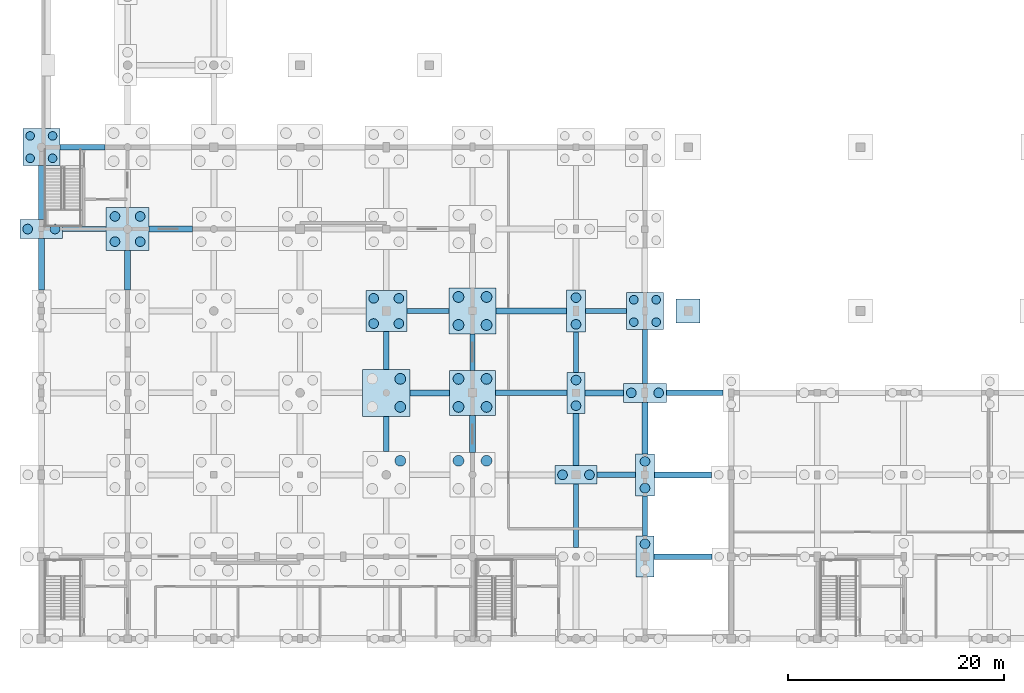
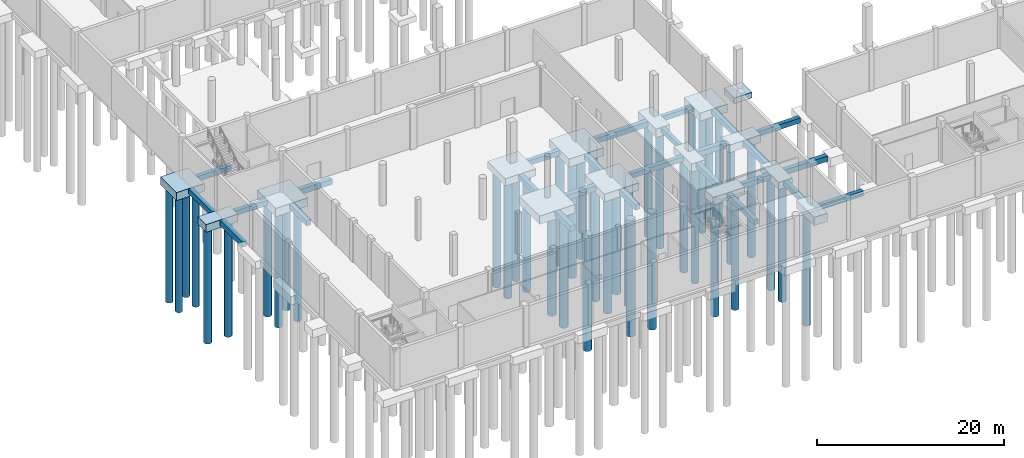
# One storey, part 3 of 44: 42 piles, 41 footings.
"""IFC4 building model written with IfcOpenShell, lengths in metres."""

from ifc_helpers import new_model, si_unit, direction, frame, origin, origin_2d, place, context, subcontext, project, spatial, polyline, circle, outline, extrude, material, material_profile, profile_set, type_object, element, save


model = new_model("IFC4")

# Units and contexts
model_context = context("Model", 3, precision=1e-05, world=origin(), true_north=direction((0.0, 1.0)))
body_context = subcontext(model_context, "Body", "Model", "MODEL_VIEW")
ifc_project = project(units=[si_unit("LENGTHUNIT", "METRE"), si_unit("AREAUNIT", "SQUARE_METRE"), si_unit("VOLUMEUNIT", "CUBIC_METRE"), si_unit("PLANEANGLEUNIT", "RADIAN"), si_unit("MASSUNIT", "GRAM", prefix="KILO")], contexts=[model_context])

# Site, building, storey
site_placement = place(None, origin())
site = spatial("IfcSite", under=ifc_project, at=site_placement, CompositionType="ELEMENT")
building_placement = place(site_placement, origin())
building = spatial("IfcBuilding", under=site, at=building_placement, Name="Khelvaren Railside Concert Hall", CompositionType="ELEMENT")
storey_placement = place(building_placement, frame((0.0, 0.0, -5.39990234375)))
storey = spatial("IfcBuildingStorey", under=building, at=storey_placement, Name="B1", CompositionType="ELEMENT", Elevation=-5.39990234375)

# Piles
ifc_material = material(Name="Concrete C35/45", Category="concrete")
ifc_material_profile_1 = material_profile(ifc_material, circle(Radius=0.449951171875, at=origin_2d()), Name="BP D900")
ifc_profile_set_1 = profile_set([ifc_material_profile_1], Name="Concrete C35/45")
pile_type_1 = type_object("IfcPileType", Name="BP51", PredefinedType="BORED", material=ifc_profile_set_1)
for number, where, z_axis, x_axis, name in (
    (1, (-1.27001953125, 38.0, -1.400146484375), (0.0, 0.0, -1.0), (1.0, 0.0, 0.0), "Bored Pile BP51 PC-V1-005-1"),
    (2, (1.27001953125, 38.0, -1.400146484375), (0.0, 0.0, -1.0), (1.0, 0.0, 0.0), "Bored Pile BP51 PC-V1-005-2"),
):
    element("IfcPile", number, at=place(storey_placement, frame(where, z_axis=z_axis, x_axis=x_axis)), inside=storey, type_object=pile_type_1, Name=name, PredefinedType="BORED", context=body_context, shape_type="SweptSolid", body=[
        extrude(circle(Radius=0.449951171875, at=origin_2d()), origin(), (0.0, 0.0, 1.0), 15.199951171875),
    ])
for number, where, z_axis, x_axis, name in (
    (3, (6.830078125, 36.830078125, -1.5), (0.0, 0.0, -1.0), (1.0, 0.0, 0.0), "Bored Pile BP51 PC-V1-019-1"),
    (4, (9.169921875, 36.830078125, -1.5), (0.0, 0.0, -1.0), (1.0, 0.0, 0.0), "Bored Pile BP51 PC-V1-019-2"),
    (5, (6.830078125, 39.169921875, -1.5), (0.0, 0.0, -1.0), (1.0, 0.0, 0.0), "Bored Pile BP51 PC-V1-019-3"),
    (6, (9.169921875, 39.169921875, -1.5), (0.0, 0.0, -1.0), (1.0, 0.0, 0.0), "Bored Pile BP51 PC-V1-019-4"),
):
    element("IfcPile", number, at=place(storey_placement, frame(where, z_axis=z_axis, x_axis=x_axis)), inside=storey, type_object=pile_type_1, Name=name, PredefinedType="BORED", context=body_context, shape_type="SweptSolid", body=[
        extrude(circle(Radius=0.449951171875, at=origin_2d()), origin(), (0.0, 0.0, 1.0), 15.10009765625),
    ])
for number, where, z_axis, x_axis, name in (
    (7, (30.830078125, 29.22998046875, -1.35009765625), (0.0, 0.0, -1.0), (1.0, 0.0, 0.0), "Bored Pile BP51 PC-V1-064-1"),
    (8, (33.169921875, 29.22998046875, -1.35009765625), (0.0, 0.0, -1.0), (1.0, 0.0, 0.0), "Bored Pile BP51 PC-V1-064-2"),
    (9, (30.830078125, 31.570068359375, -1.35009765625), (0.0, 0.0, -1.0), (1.0, 0.0, 0.0), "Bored Pile BP51 PC-V1-064-3"),
    (10, (33.169921875, 31.570068359375, -1.35009765625), (0.0, 0.0, -1.0), (1.0, 0.0, 0.0), "Bored Pile BP51 PC-V1-064-4"),
):
    element("IfcPile", number, at=place(storey_placement, frame(where, z_axis=z_axis, x_axis=x_axis)), inside=storey, type_object=pile_type_1, Name=name, PredefinedType="BORED", context=body_context, shape_type="SweptSolid", body=[
        extrude(circle(Radius=0.449951171875, at=origin_2d()), origin(), (0.0, 0.0, 1.0), 15.25),
    ])
for number, where, z_axis, x_axis, name in (
    (11, (48.35009765625, 15.199951171875, -1.400146484375), (0.0, 0.0, -1.0), (1.0, 0.0, 0.0), "Bored Pile BP51 PC-V1-097-1"),
    (12, (50.85009765625, 15.199951171875, -1.400146484375), (0.0, 0.0, -1.0), (1.0, 0.0, 0.0), "Bored Pile BP51 PC-V1-097-2"),
):
    element("IfcPile", number, at=place(storey_placement, frame(where, z_axis=z_axis, x_axis=x_axis)), inside=storey, type_object=pile_type_1, Name=name, PredefinedType="BORED", context=body_context, shape_type="SweptSolid", body=[
        extrude(circle(Radius=0.449951171875, at=origin_2d()), origin(), (0.0, 0.0, 1.0), 15.199951171875),
    ])
for number, where, z_axis, x_axis, name in (
    (13, (49.60009765625, 21.610107421875, -1.4501953125), (0.0, 0.0, -1.0), (1.0, 0.0, 0.0), "Bored Pile BP51 PC-V1-098-1"),
    (14, (49.60009765625, 23.989990234375, -1.4501953125), (0.0, 0.0, -1.0), (1.0, 0.0, 0.0), "Bored Pile BP51 PC-V1-098-2"),
):
    element("IfcPile", number, at=place(storey_placement, frame(where, z_axis=z_axis, x_axis=x_axis)), inside=storey, type_object=pile_type_1, Name=name, PredefinedType="BORED", context=body_context, shape_type="SweptSolid", body=[
        extrude(circle(Radius=0.449951171875, at=origin_2d()), origin(), (0.0, 0.0, 1.0), 15.14990234375),
    ])
for number, where, z_axis, x_axis, name in (
    (15, (49.60009765625, 29.159912109375, -1.5), (0.0, 0.0, -1.0), (1.0, 0.0, 0.0), "Bored Pile BP51 PC-V1-099-1"),
    (16, (49.60009765625, 31.639892578125, -1.5), (0.0, 0.0, -1.0), (1.0, 0.0, 0.0), "Bored Pile BP51 PC-V1-099-2"),
    (17, (56.0, 8.7900390625, -1.5), (0.0, 0.0, -1.0), (1.0, 0.0, 0.0), "Bored Pile BP51 PC-V1-103-2"),
):
    element("IfcPile", number, at=place(storey_placement, frame(where, z_axis=z_axis, x_axis=x_axis)), inside=storey, type_object=pile_type_1, Name=name, PredefinedType="BORED", context=body_context, shape_type="SweptSolid", body=[
        extrude(circle(Radius=0.449951171875, at=origin_2d()), origin(), (0.0, 0.0, 1.0), 15.10009765625),
    ])
for number, where, z_axis, x_axis, name in (
    (18, (56.0, 13.9599609375, -1.35009765625), (0.0, 0.0, -1.0), (1.0, 0.0, 0.0), "Bored Pile BP51 PC-V1-104-1"),
    (19, (56.0, 16.43994140625, -1.35009765625), (0.0, 0.0, -1.0), (1.0, 0.0, 0.0), "Bored Pile BP51 PC-V1-104-2"),
):
    element("IfcPile", number, at=place(storey_placement, frame(where, z_axis=z_axis, x_axis=x_axis)), inside=storey, type_object=pile_type_1, Name=name, PredefinedType="BORED", context=body_context, shape_type="SweptSolid", body=[
        extrude(circle(Radius=0.449951171875, at=origin_2d()), origin(), (0.0, 0.0, 1.0), 15.25),
    ])
for number, where, z_axis, x_axis, name in (
    (20, (54.72998046875, 22.800048828125, -1.400146484375), (0.0, 0.0, -1.0), (1.0, 0.0, 0.0), "Bored Pile BP51 PC-V1-105-1"),
    (21, (57.27001953125, 22.800048828125, -1.400146484375), (0.0, 0.0, -1.0), (1.0, 0.0, 0.0), "Bored Pile BP51 PC-V1-105-2"),
):
    element("IfcPile", number, at=place(storey_placement, frame(where, z_axis=z_axis, x_axis=x_axis)), inside=storey, type_object=pile_type_1, Name=name, PredefinedType="BORED", context=body_context, shape_type="SweptSolid", body=[
        extrude(circle(Radius=0.449951171875, at=origin_2d()), origin(), (0.0, 0.0, 1.0), 15.199951171875),
    ])
ifc_material_profile_2 = material_profile(ifc_material, circle(Radius=0.39990234375, at=origin_2d()), Name="BP D800")
ifc_profile_set_2 = profile_set([ifc_material_profile_2], Name="Concrete C35/45")
pile_type_2 = type_object("IfcPileType", Name="BP84", PredefinedType="BORED", material=ifc_profile_set_2)
for number, where, z_axis, x_axis, name in (
    (22, (-1.0400390625, 44.56005859375, -1.4501953125), (0.0, 0.0, -1.0), (1.0, 0.0, 0.0), "Bored Pile BP84 PC-V1-006-1"),
    (23, (1.0400390625, 44.56005859375, -1.4501953125), (0.0, 0.0, -1.0), (1.0, 0.0, 0.0), "Bored Pile BP84 PC-V1-006-2"),
    (24, (-1.0400390625, 46.639892578125, -1.4501953125), (0.0, 0.0, -1.0), (1.0, 0.0, 0.0), "Bored Pile BP84 PC-V1-006-3"),
    (25, (1.0400390625, 46.639892578125, -1.4501953125), (0.0, 0.0, -1.0), (1.0, 0.0, 0.0), "Bored Pile BP84 PC-V1-006-4"),
    (26, (54.9599609375, 29.360107421875, -1.4501953125), (0.0, 0.0, -1.0), (1.0, 0.0, 0.0), "Bored Pile BP84 PC-V1-106-1"),
    (27, (57.0400390625, 29.360107421875, -1.4501953125), (0.0, 0.0, -1.0), (1.0, 0.0, 0.0), "Bored Pile BP84 PC-V1-106-2"),
    (28, (54.9599609375, 31.43994140625, -1.4501953125), (0.0, 0.0, -1.0), (1.0, 0.0, 0.0), "Bored Pile BP84 PC-V1-106-3"),
    (29, (57.0400390625, 31.43994140625, -1.4501953125), (0.0, 0.0, -1.0), (1.0, 0.0, 0.0), "Bored Pile BP84 PC-V1-106-4"),
):
    element("IfcPile", number, at=place(storey_placement, frame(where, z_axis=z_axis, x_axis=x_axis)), inside=storey, type_object=pile_type_2, Name=name, PredefinedType="BORED", context=body_context, shape_type="SweptSolid", body=[
        extrude(circle(Radius=0.39990234375, at=origin_2d()), origin(), (0.0, 0.0, 1.0), 15.14990234375),
    ])
ifc_material_profile_3 = material_profile(ifc_material, circle(Radius=0.5, at=origin_2d()), Name="BP D1000")
ifc_profile_set_3 = profile_set([ifc_material_profile_3], Name="Concrete C35/45")
pile_type_3 = type_object("IfcPileType", Name="BP88", PredefinedType="BORED", material=ifc_profile_set_3)
pile_placement = place(storey_placement, frame((33.300048828125, 16.5, -1.4501953125), z_axis=(0.0, 0.0, -1.0), x_axis=(1.0, 0.0, 0.0)))
element("IfcPile", 30, at=pile_placement, inside=storey, type_object=pile_type_3, Name="Bored Pile BP88 PC-V1-062-4", PredefinedType="BORED", context=body_context, shape_type="SweptSolid", body=[
    extrude(circle(Radius=0.5, at=origin_2d()), origin(), (0.0, 0.0, 1.0), 15.14990234375),
])
for number, where, z_axis, x_axis, name in (
    (31, (33.300048828125, 21.5, -1.5), (0.0, 0.0, -1.0), (1.0, 0.0, 0.0), "Bored Pile BP88 PC-V1-063-2"),
    (32, (33.300048828125, 24.10009765625, -1.5), (0.0, 0.0, -1.0), (1.0, 0.0, 0.0), "Bored Pile BP88 PC-V1-063-4"),
):
    element("IfcPile", number, at=place(storey_placement, frame(where, z_axis=z_axis, x_axis=x_axis)), inside=storey, type_object=pile_type_3, Name=name, PredefinedType="BORED", context=body_context, shape_type="SweptSolid", body=[
        extrude(circle(Radius=0.5, at=origin_2d()), origin(), (0.0, 0.0, 1.0), 15.10009765625),
    ])
for number, where, z_axis, x_axis, name in (
    (33, (38.699951171875, 16.5, -1.35009765625), (0.0, 0.0, -1.0), (1.0, 0.0, 0.0), "Bored Pile BP88 PC-V1-076-3"),
    (34, (41.300048828125, 16.5, -1.35009765625), (0.0, 0.0, -1.0), (1.0, 0.0, 0.0), "Bored Pile BP88 PC-V1-076-4"),
):
    element("IfcPile", number, at=place(storey_placement, frame(where, z_axis=z_axis, x_axis=x_axis)), inside=storey, type_object=pile_type_3, Name=name, PredefinedType="BORED", context=body_context, shape_type="SweptSolid", body=[
        extrude(circle(Radius=0.5, at=origin_2d()), origin(), (0.0, 0.0, 1.0), 15.25),
    ])
for number, where, z_axis, x_axis, name in (
    (35, (38.699951171875, 21.5, -1.400146484375), (0.0, 0.0, -1.0), (1.0, 0.0, 0.0), "Bored Pile BP88 PC-V1-077-1"),
    (36, (41.300048828125, 21.5, -1.400146484375), (0.0, 0.0, -1.0), (1.0, 0.0, 0.0), "Bored Pile BP88 PC-V1-077-2"),
    (37, (38.699951171875, 24.10009765625, -1.400146484375), (0.0, 0.0, -1.0), (1.0, 0.0, 0.0), "Bored Pile BP88 PC-V1-077-3"),
    (38, (41.300048828125, 24.10009765625, -1.400146484375), (0.0, 0.0, -1.0), (1.0, 0.0, 0.0), "Bored Pile BP88 PC-V1-077-4"),
):
    element("IfcPile", number, at=place(storey_placement, frame(where, z_axis=z_axis, x_axis=x_axis)), inside=storey, type_object=pile_type_3, Name=name, PredefinedType="BORED", context=body_context, shape_type="SweptSolid", body=[
        extrude(circle(Radius=0.5, at=origin_2d()), origin(), (0.0, 0.0, 1.0), 15.199951171875),
    ])
for number, where, z_axis, x_axis, name in (
    (39, (38.699951171875, 29.10009765625, -1.4501953125), (0.0, 0.0, -1.0), (1.0, 0.0, 0.0), "Bored Pile BP88 PC-V1-078-1"),
    (40, (41.300048828125, 29.10009765625, -1.4501953125), (0.0, 0.0, -1.0), (1.0, 0.0, 0.0), "Bored Pile BP88 PC-V1-078-2"),
    (41, (38.699951171875, 31.699951171875, -1.4501953125), (0.0, 0.0, -1.0), (1.0, 0.0, 0.0), "Bored Pile BP88 PC-V1-078-3"),
    (42, (41.300048828125, 31.699951171875, -1.4501953125), (0.0, 0.0, -1.0), (1.0, 0.0, 0.0), "Bored Pile BP88 PC-V1-078-4"),
):
    element("IfcPile", number, at=place(storey_placement, frame(where, z_axis=z_axis, x_axis=x_axis)), inside=storey, type_object=pile_type_3, Name=name, PredefinedType="BORED", context=body_context, shape_type="SweptSolid", body=[
        extrude(circle(Radius=0.5, at=origin_2d()), origin(), (0.0, 0.0, 1.0), 15.14990234375),
    ])

# Footings
footing_type_1 = type_object("IfcFootingType", Name="GB49", PredefinedType="FOOTING_BEAM", material=ifc_material)
footing_1_placement = place(storey_placement, frame((0.0, 0.0, -1.150146484375)))
element("IfcFooting", 43, at=footing_1_placement, inside=storey, type_object=footing_type_1, Name="Ground Tie Beam GB49 31", PredefinedType="FOOTING_BEAM", context=body_context, shape_type="SweptSolid", body=[
    extrude(outline(polyline([(56.85009765625, 7.35009765625), (62.219970703125, 7.35009765625), (62.219970703125, 7.85009765625), (56.85009765625, 7.85009765625), (56.85009765625, 7.35009765625)])), origin(), (0.0, 0.0, 1.0), 0.650146484375),
])
footing_2_placement = place(storey_placement, frame((0.0, 0.0, -1.150146484375)))
element("IfcFooting", 44, at=footing_2_placement, inside=storey, type_object=footing_type_1, Name="Ground Tie Beam GB49 53", PredefinedType="FOOTING_BEAM", context=body_context, shape_type="SweptSolid", body=[
    extrude(outline(polyline([(51.56005859375, 14.949951171875), (55.125, 14.949951171875), (55.125, 15.449951171875), (51.56005859375, 15.449951171875), (51.56005859375, 14.949951171875)])), origin(), (0.0, 0.0, 1.0), 0.650146484375),
])
footing_3_placement = place(storey_placement, frame((0.0, 0.0, -1.150146484375)))
element("IfcFooting", 45, at=footing_3_placement, inside=storey, type_object=footing_type_1, Name="Ground Tie Beam GB49 75", PredefinedType="FOOTING_BEAM", context=body_context, shape_type="SweptSolid", body=[
    extrude(outline(polyline([(42.1201171875, 22.550048828125), (48.75, 22.550048828125), (48.75, 23.050048828125), (42.1201171875, 23.050048828125), (42.1201171875, 22.550048828125)])), origin(), (0.0, 0.0, 1.0), 0.650146484375),
])
footing_4_placement = place(storey_placement, frame((0.0, 0.0, -1.150146484375)))
element("IfcFooting", 46, at=footing_4_placement, inside=storey, type_object=footing_type_1, Name="Ground Tie Beam GB49 77", PredefinedType="FOOTING_BEAM", context=body_context, shape_type="SweptSolid", body=[
    extrude(outline(polyline([(57.97998046875, 22.550048828125), (63.22509765625, 22.550048828125), (63.22509765625, 23.050048828125), (57.97998046875, 23.050048828125), (57.97998046875, 22.550048828125)])), origin(), (0.0, 0.0, 1.0), 0.650146484375),
])
footing_5_placement = place(storey_placement, frame((0.0, 0.0, -1.150146484375)))
element("IfcFooting", 47, at=footing_5_placement, inside=storey, type_object=footing_type_1, Name="Ground Tie Beam GB49 97", PredefinedType="FOOTING_BEAM", context=body_context, shape_type="SweptSolid", body=[
    extrude(outline(polyline([(33.89990234375, 30.14990234375), (37.840087890625, 30.14990234375), (37.840087890625, 30.64990234375), (33.89990234375, 30.64990234375), (33.89990234375, 30.14990234375)])), origin(), (0.0, 0.0, 1.0), 0.650146484375),
])
footing_6_placement = place(storey_placement, frame((0.0, 0.0, -1.150146484375)))
element("IfcFooting", 48, at=footing_6_placement, inside=storey, type_object=footing_type_1, Name="Ground Tie Beam GB49 99", PredefinedType="FOOTING_BEAM", context=body_context, shape_type="SweptSolid", body=[
    extrude(outline(polyline([(50.47509765625, 30.14990234375), (54.280029296875, 30.14990234375), (54.280029296875, 30.64990234375), (50.47509765625, 30.64990234375), (50.47509765625, 30.14990234375)])), origin(), (0.0, 0.0, 1.0), 0.650146484375),
])
footing_7_placement = place(storey_placement, frame((0.0, 0.0, -1.150146484375)))
element("IfcFooting", 49, at=footing_7_placement, inside=storey, type_object=footing_type_1, Name="Ground Tie Beam GB49 105", PredefinedType="FOOTING_BEAM", context=body_context, shape_type="SweptSolid", body=[
    extrude(outline(polyline([(1.97998046875, 37.75), (6.0, 37.75), (6.0, 38.25), (1.97998046875, 38.25), (1.97998046875, 37.75)])), origin(), (0.0, 0.0, 1.0), 0.650146484375),
])
footing_8_placement = place(storey_placement, frame((0.0, 0.0, -1.150146484375)))
element("IfcFooting", 50, at=footing_8_placement, inside=storey, type_object=footing_type_1, Name="Ground Tie Beam GB49 117", PredefinedType="FOOTING_BEAM", context=body_context, shape_type="SweptSolid", body=[
    extrude(outline(polyline([(1.719970703125, 45.35009765625), (5.919921875, 45.35009765625), (5.919921875, 45.85009765625), (1.719970703125, 45.85009765625), (1.719970703125, 45.35009765625)])), origin(), (0.0, 0.0, 1.0), 0.650146484375),
])
footing_9_placement = place(storey_placement, frame((0.0, 0.0, -1.150146484375)))
element("IfcFooting", 51, at=footing_9_placement, inside=storey, type_object=footing_type_1, Name="Ground Tie Beam GB49 213", PredefinedType="FOOTING_BEAM", context=body_context, shape_type="SweptSolid", body=[
    extrude(outline(polyline([(-0.25, 38.875), (0.25, 38.875), (0.25, 43.8798828125), (-0.25, 43.8798828125), (-0.25, 38.875)])), origin(), (0.0, 0.0, 1.0), 0.650146484375),
])
footing_10_placement = place(storey_placement, frame((0.0, 0.0, -1.150146484375)))
element("IfcFooting", 52, at=footing_10_placement, inside=storey, type_object=footing_type_1, Name="Ground Tie Beam GB49 265", PredefinedType="FOOTING_BEAM", context=body_context, shape_type="SweptSolid", body=[
    extrude(outline(polyline([(31.75, 24.97998046875), (32.25, 24.97998046875), (32.25, 28.5), (31.75, 28.5), (31.75, 24.97998046875)])), origin(), (0.0, 0.0, 1.0), 0.650146484375),
])
footing_11_placement = place(storey_placement, frame((0.0, 0.0, -1.150146484375)))
element("IfcFooting", 53, at=footing_11_placement, inside=storey, type_object=footing_type_1, Name="Ground Tie Beam GB49 277", PredefinedType="FOOTING_BEAM", context=body_context, shape_type="SweptSolid", body=[
    extrude(outline(polyline([(39.75, 24.89990234375), (40.25, 24.89990234375), (40.25, 28.260009765625), (39.75, 28.260009765625), (39.75, 24.89990234375)])), origin(), (0.0, 0.0, 1.0), 0.650146484375),
])
footing_12_placement = place(storey_placement, frame((0.0, 0.0, -1.150146484375)))
element("IfcFooting", 54, at=footing_12_placement, inside=storey, type_object=footing_type_1, Name="Ground Tie Beam GB49 293", PredefinedType="FOOTING_BEAM", context=body_context, shape_type="SweptSolid", body=[
    extrude(outline(polyline([(49.35009765625, 8.4599609375), (49.85009765625, 8.4599609375), (49.85009765625, 14.324951171875), (49.35009765625, 14.324951171875), (49.35009765625, 8.4599609375)])), origin(), (0.0, 0.0, 1.0), 0.650146484375),
])
footing_13_placement = place(storey_placement, frame((0.0, 0.0, -1.150146484375)))
element("IfcFooting", 55, at=footing_13_placement, inside=storey, type_object=footing_type_1, Name="Ground Tie Beam GB49 295", PredefinedType="FOOTING_BEAM", context=body_context, shape_type="SweptSolid", body=[
    extrude(outline(polyline([(49.35009765625, 24.699951171875), (49.85009765625, 24.699951171875), (49.85009765625, 28.449951171875), (49.35009765625, 28.449951171875), (49.35009765625, 24.699951171875)])), origin(), (0.0, 0.0, 1.0), 0.650146484375),
])
footing_14_placement = place(storey_placement, frame((0.0, 0.0, -1.150146484375)))
element("IfcFooting", 56, at=footing_14_placement, inside=storey, type_object=footing_type_1, Name="Ground Tie Beam GB49 299", PredefinedType="FOOTING_BEAM", context=body_context, shape_type="SweptSolid", body=[
    extrude(outline(polyline([(55.75, 9.5), (56.25, 9.5), (56.25, 13.25), (55.75, 13.25), (55.75, 9.5)])), origin(), (0.0, 0.0, 1.0), 0.650146484375),
])
footing_15_placement = place(storey_placement, frame((0.0, 0.0, -1.150146484375)))
element("IfcFooting", 57, at=footing_15_placement, inside=storey, type_object=footing_type_1, Name="Ground Tie Beam GB49 301", PredefinedType="FOOTING_BEAM", context=body_context, shape_type="SweptSolid", body=[
    extrude(outline(polyline([(55.75, 23.675048828125), (56.25, 23.675048828125), (56.25, 28.679931640625), (55.75, 28.679931640625), (55.75, 23.675048828125)])), origin(), (0.0, 0.0, 1.0), 0.650146484375),
])
footing_type_2 = type_object("IfcFootingType", Name="GB57", PredefinedType="FOOTING_BEAM", material=ifc_material)
footing_16_placement = place(storey_placement, frame((0.0, 0.0, -1.2001953125)))
element("IfcFooting", 58, at=footing_16_placement, inside=storey, type_object=footing_type_2, Name="Ground Tie Beam GB57 54", PredefinedType="FOOTING_BEAM", context=body_context, shape_type="SweptSolid", body=[
    extrude(outline(polyline([(56.875, 14.925048828125), (62.179931640625, 14.925048828125), (62.179931640625, 15.47509765625), (56.875, 15.47509765625), (56.875, 14.925048828125)])), origin(), (0.0, 0.0, 1.0), 0.7001953125),
])
footing_17_placement = place(storey_placement, frame((0.0, 0.0, -1.2001953125)))
element("IfcFooting", 59, at=footing_17_placement, inside=storey, type_object=footing_type_2, Name="Ground Tie Beam GB57 74", PredefinedType="FOOTING_BEAM", context=body_context, shape_type="SweptSolid", body=[
    extrude(outline(polyline([(34.199951171875, 22.52490234375), (37.8798828125, 22.52490234375), (37.8798828125, 23.074951171875), (34.199951171875, 23.074951171875), (34.199951171875, 22.52490234375)])), origin(), (0.0, 0.0, 1.0), 0.7001953125),
])
footing_18_placement = place(storey_placement, frame((0.0, 0.0, -1.2001953125)))
element("IfcFooting", 60, at=footing_18_placement, inside=storey, type_object=footing_type_2, Name="Ground Tie Beam GB57 76", PredefinedType="FOOTING_BEAM", context=body_context, shape_type="SweptSolid", body=[
    extrude(outline(polyline([(50.449951171875, 22.52490234375), (54.02001953125, 22.52490234375), (54.02001953125, 23.074951171875), (50.449951171875, 23.074951171875), (50.449951171875, 22.52490234375)])), origin(), (0.0, 0.0, 1.0), 0.7001953125),
])
footing_19_placement = place(storey_placement, frame((0.0, 0.0, -1.2001953125)))
element("IfcFooting", 61, at=footing_19_placement, inside=storey, type_object=footing_type_2, Name="Ground Tie Beam GB57 98", PredefinedType="FOOTING_BEAM", context=body_context, shape_type="SweptSolid", body=[
    extrude(outline(polyline([(42.159912109375, 30.125), (48.72509765625, 30.125), (48.72509765625, 30.675048828125), (42.159912109375, 30.675048828125), (42.159912109375, 30.125)])), origin(), (0.0, 0.0, 1.0), 0.7001953125),
])
footing_20_placement = place(storey_placement, frame((0.0, 0.0, -1.2001953125)))
element("IfcFooting", 62, at=footing_20_placement, inside=storey, type_object=footing_type_2, Name="Ground Tie Beam GB57 106", PredefinedType="FOOTING_BEAM", context=body_context, shape_type="SweptSolid", body=[
    extrude(outline(polyline([(10.0, 37.72509765625), (14.0, 37.72509765625), (14.0, 38.27490234375), (10.0, 38.27490234375), (10.0, 37.72509765625)])), origin(), (0.0, 0.0, 1.0), 0.7001953125),
])
footing_21_placement = place(storey_placement, frame((0.0, 0.0, -1.2001953125)))
element("IfcFooting", 63, at=footing_21_placement, inside=storey, type_object=footing_type_2, Name="Ground Tie Beam GB57 212", PredefinedType="FOOTING_BEAM", context=body_context, shape_type="SweptSolid", body=[
    extrude(outline(polyline([(-0.27490234375, 32.35009765625), (0.27490234375, 32.35009765625), (0.27490234375, 37.125), (-0.27490234375, 37.125), (-0.27490234375, 32.35009765625)])), origin(), (0.0, 0.0, 1.0), 0.7001953125),
])
footing_22_placement = place(storey_placement, frame((0.0, 0.0, -1.2001953125)))
element("IfcFooting", 64, at=footing_22_placement, inside=storey, type_object=footing_type_2, Name="Ground Tie Beam GB57 224", PredefinedType="FOOTING_BEAM", context=body_context, shape_type="SweptSolid", body=[
    extrude(outline(polyline([(7.72509765625, 32.360107421875), (8.27490234375, 32.360107421875), (8.27490234375, 36.02001953125), (7.72509765625, 36.02001953125), (7.72509765625, 32.360107421875)])), origin(), (0.0, 0.0, 1.0), 0.7001953125),
])
footing_23_placement = place(storey_placement, frame((0.0, 0.0, -1.2001953125)))
element("IfcFooting", 65, at=footing_23_placement, inside=storey, type_object=footing_type_2, Name="Ground Tie Beam GB57 264", PredefinedType="FOOTING_BEAM", context=body_context, shape_type="SweptSolid", body=[
    extrude(outline(polyline([(31.72509765625, 17.340087890625), (32.27490234375, 17.340087890625), (32.27490234375, 20.6201171875), (31.72509765625, 20.6201171875), (31.72509765625, 17.340087890625)])), origin(), (0.0, 0.0, 1.0), 0.7001953125),
])
footing_24_placement = place(storey_placement, frame((0.0, 0.0, -1.2001953125)))
element("IfcFooting", 66, at=footing_24_placement, inside=storey, type_object=footing_type_2, Name="Ground Tie Beam GB57 276", PredefinedType="FOOTING_BEAM", context=body_context, shape_type="SweptSolid", body=[
    extrude(outline(polyline([(39.72509765625, 17.280029296875), (40.27490234375, 17.280029296875), (40.27490234375, 20.699951171875), (39.72509765625, 20.699951171875), (39.72509765625, 17.280029296875)])), origin(), (0.0, 0.0, 1.0), 0.7001953125),
])
footing_25_placement = place(storey_placement, frame((0.0, 0.0, -1.2001953125)))
element("IfcFooting", 67, at=footing_25_placement, inside=storey, type_object=footing_type_2, Name="Ground Tie Beam GB57 294", PredefinedType="FOOTING_BEAM", context=body_context, shape_type="SweptSolid", body=[
    extrude(outline(polyline([(49.324951171875, 16.074951171875), (49.875, 16.074951171875), (49.875, 20.89990234375), (49.324951171875, 20.89990234375), (49.324951171875, 16.074951171875)])), origin(), (0.0, 0.0, 1.0), 0.7001953125),
])
footing_26_placement = place(storey_placement, frame((0.0, 0.0, -1.2001953125)))
element("IfcFooting", 68, at=footing_26_placement, inside=storey, type_object=footing_type_2, Name="Ground Tie Beam GB57 300", PredefinedType="FOOTING_BEAM", context=body_context, shape_type="SweptSolid", body=[
    extrude(outline(polyline([(55.72509765625, 17.14990234375), (56.27490234375, 17.14990234375), (56.27490234375, 21.925048828125), (55.72509765625, 21.925048828125), (55.72509765625, 17.14990234375)])), origin(), (0.0, 0.0, 1.0), 0.7001953125),
])
footing_type_3 = type_object("IfcFootingType", Name="PC11", PredefinedType="PILE_CAP", material=ifc_material)
footing_27_placement = place(storey_placement, frame((0.0, 0.0, -1.5)))
element("IfcFooting", 69, at=footing_27_placement, inside=storey, type_object=footing_type_3, Name="Pile Cap PC11 (40.0,22.8)", PredefinedType="PILE_CAP", context=body_context, shape_type="SweptSolid", body=[
    extrude(outline(polyline([(37.8798828125, 20.699951171875), (42.1201171875, 20.699951171875), (42.1201171875, 24.89990234375), (37.8798828125, 24.89990234375), (37.8798828125, 20.699951171875)])), origin(), (0.0, 0.0, 1.0), 1.0),
])
footing_type_4 = type_object("IfcFootingType", Name="PC14", PredefinedType="PILE_CAP", material=ifc_material)
footing_28_placement = place(storey_placement, frame((0.0, 0.0, -1.550048828125)))
element("IfcFooting", 70, at=footing_28_placement, inside=storey, type_object=footing_type_4, Name="Pile Cap PC14 (49.6,22.8)", PredefinedType="PILE_CAP", context=body_context, shape_type="SweptSolid", body=[
    extrude(outline(polyline([(48.75, 20.89990234375), (50.449951171875, 20.89990234375), (50.449951171875, 24.699951171875), (48.75, 24.699951171875), (48.75, 20.89990234375)])), origin(), (0.0, 0.0, 1.0), 1.050048828125),
])
footing_type_5 = type_object("IfcFootingType", Name="PC24", PredefinedType="PILE_CAP", material=ifc_material)
footing_29_placement = place(storey_placement, frame((0.0, 0.0, -1.60009765625)))
element("IfcFooting", 71, at=footing_29_placement, inside=storey, type_object=footing_type_5, Name="Pile Cap PC24 (56.0,7.6)", PredefinedType="PILE_CAP", context=body_context, shape_type="SweptSolid", body=[
    extrude(outline(polyline([(55.14990234375, 5.699951171875), (56.85009765625, 5.699951171875), (56.85009765625, 9.5), (55.14990234375, 9.5), (55.14990234375, 5.699951171875)])), origin(), (0.0, 0.0, 1.0), 1.10009765625),
])
footing_type_6 = type_object("IfcFootingType", Name="PC31", PredefinedType="PILE_CAP", material=ifc_material)
footing_30_placement = place(storey_placement, frame((0.0, 0.0, -1.4501953125)))
element("IfcFooting", 72, at=footing_30_placement, inside=storey, type_object=footing_type_6, Name="Pile Cap PC31 (32.0,30.4)", PredefinedType="PILE_CAP", context=body_context, shape_type="SweptSolid", body=[
    extrude(outline(polyline([(30.10009765625, 28.5), (33.89990234375, 28.5), (33.89990234375, 32.300048828125), (30.10009765625, 32.300048828125), (30.10009765625, 28.5)])), origin(), (0.0, 0.0, 1.0), 0.9501953125),
])
footing_type_7 = type_object("IfcFootingType", Name="PC47", PredefinedType="PILE_CAP", material=ifc_material)
footing_31_placement = place(storey_placement, frame((0.0, 0.0, -1.5)))
element("IfcFooting", 73, at=footing_31_placement, inside=storey, type_object=footing_type_7, Name="Pile Cap PC47 (49.6,15.2)", PredefinedType="PILE_CAP", context=body_context, shape_type="SweptSolid", body=[
    extrude(outline(polyline([(47.639892578125, 14.324951171875), (51.56005859375, 14.324951171875), (51.56005859375, 16.074951171875), (47.639892578125, 16.074951171875), (47.639892578125, 14.324951171875)])), origin(), (0.0, 0.0, 1.0), 1.0),
])
footing_type_8 = type_object("IfcFootingType", Name="PC48", PredefinedType="PILE_CAP", material=ifc_material)
footing_32_placement = place(storey_placement, frame((0.0, 0.0, -1.550048828125)))
element("IfcFooting", 74, at=footing_32_placement, inside=storey, type_object=footing_type_8, Name="Pile Cap PC48 (0.0,45.6)", PredefinedType="PILE_CAP", context=body_context, shape_type="SweptSolid", body=[
    extrude(outline(polyline([(-1.719970703125, 43.8798828125), (1.719970703125, 43.8798828125), (1.719970703125, 47.320068359375), (-1.719970703125, 47.320068359375), (-1.719970703125, 43.8798828125)])), origin(), (0.0, 0.0, 1.0), 1.050048828125),
])
footing_33_placement = place(storey_placement, frame((0.0, 0.0, -1.550048828125)))
element("IfcFooting", 75, at=footing_33_placement, inside=storey, type_object=footing_type_8, Name="Pile Cap PC48 (56.0,30.4)", PredefinedType="PILE_CAP", context=body_context, shape_type="SweptSolid", body=[
    extrude(outline(polyline([(54.280029296875, 28.679931640625), (57.719970703125, 28.679931640625), (57.719970703125, 32.1201171875), (54.280029296875, 32.1201171875), (54.280029296875, 28.679931640625)])), origin(), (0.0, 0.0, 1.0), 1.050048828125),
])
footing_type_9 = type_object("IfcFootingType", Name="PC51", PredefinedType="PILE_CAP", material=ifc_material)
footing_34_placement = place(storey_placement, frame((0.0, 0.0, -1.60009765625)))
element("IfcFooting", 76, at=footing_34_placement, inside=storey, type_object=footing_type_9, Name="Pile Cap PC51 (8.0,38.0)", PredefinedType="PILE_CAP", context=body_context, shape_type="SweptSolid", body=[
    extrude(outline(polyline([(6.0, 36.02001953125), (10.0, 36.02001953125), (10.0, 39.97998046875), (6.0, 39.97998046875), (6.0, 36.02001953125)])), origin(), (0.0, 0.0, 1.0), 1.10009765625),
])
footing_type_10 = type_object("IfcFootingType", Name="PC66", PredefinedType="PILE_CAP", material=ifc_material)
footing_35_placement = place(storey_placement, frame((0.0, 0.0, -1.5)))
element("IfcFooting", 77, at=footing_35_placement, inside=storey, type_object=footing_type_10, Name="Pile Cap PC66 (0.0,38.0)", PredefinedType="PILE_CAP", context=body_context, shape_type="SweptSolid", body=[
    extrude(outline(polyline([(-1.97998046875, 37.125), (1.97998046875, 37.125), (1.97998046875, 38.875), (-1.97998046875, 38.875), (-1.97998046875, 37.125)])), origin(), (0.0, 0.0, 1.0), 1.0),
])
footing_36_placement = place(storey_placement, frame((0.0, 0.0, -1.5)))
element("IfcFooting", 78, at=footing_36_placement, inside=storey, type_object=footing_type_10, Name="Pile Cap PC66 (56.0,22.8)", PredefinedType="PILE_CAP", context=body_context, shape_type="SweptSolid", body=[
    extrude(outline(polyline([(54.02001953125, 21.925048828125), (57.97998046875, 21.925048828125), (57.97998046875, 23.675048828125), (54.02001953125, 23.675048828125), (54.02001953125, 21.925048828125)])), origin(), (0.0, 0.0, 1.0), 1.0),
])
footing_type_11 = type_object("IfcFootingType", Name="PC70", PredefinedType="PILE_CAP", material=ifc_material)
footing_37_placement = place(storey_placement, frame((0.0, 0.0, -1.550048828125)))
element("IfcFooting", 79, at=footing_37_placement, inside=storey, type_object=footing_type_11, Name="Pile Cap PC70 (40.0,30.4)", PredefinedType="PILE_CAP", context=body_context, shape_type="SweptSolid", body=[
    extrude(outline(polyline([(37.840087890625, 28.260009765625), (42.159912109375, 28.260009765625), (42.159912109375, 32.5400390625), (37.840087890625, 32.5400390625), (37.840087890625, 28.260009765625)])), origin(), (0.0, 0.0, 1.0), 1.050048828125),
])
footing_type_12 = type_object("IfcFootingType", Name="PC74", PredefinedType="PILE_CAP", material=ifc_material)
footing_38_placement = place(storey_placement, frame((0.0, 0.0, -1.4501953125)))
element("IfcFooting", 80, at=footing_38_placement, inside=storey, type_object=footing_type_12, Name="Pile Cap PC74 (56.0,15.2)", PredefinedType="PILE_CAP", context=body_context, shape_type="SweptSolid", body=[
    extrude(outline(polyline([(55.125, 13.25), (56.875, 13.25), (56.875, 17.14990234375), (55.125, 17.14990234375), (55.125, 13.25)])), origin(), (0.0, 0.0, 1.0), 0.9501953125),
])
footing_type_13 = type_object("IfcFootingType", Name="PC76", PredefinedType="PILE_CAP", material=ifc_material)
footing_39_placement = place(storey_placement, frame((0.0, 0.0, -1.60009765625)))
element("IfcFooting", 81, at=footing_39_placement, inside=storey, type_object=footing_type_13, Name="Pile Cap PC76 (49.6,30.4)", PredefinedType="PILE_CAP", context=body_context, shape_type="SweptSolid", body=[
    extrude(outline(polyline([(48.72509765625, 28.449951171875), (50.47509765625, 28.449951171875), (50.47509765625, 32.35009765625), (48.72509765625, 32.35009765625), (48.72509765625, 28.449951171875)])), origin(), (0.0, 0.0, 1.0), 1.10009765625),
])
footing_type_14 = type_object("IfcFootingType", Name="PC79", PredefinedType="PILE_CAP", material=ifc_material)
footing_40_placement = place(storey_placement, frame((0.0, 0.0, -1.60009765625)))
element("IfcFooting", 82, at=footing_40_placement, inside=storey, type_object=footing_type_14, Name="Pile Cap PC79 (32.0,22.8)", PredefinedType="PILE_CAP", context=body_context, shape_type="SweptSolid", body=[
    extrude(outline(polyline([(29.800048828125, 20.6201171875), (34.199951171875, 20.6201171875), (34.199951171875, 24.97998046875), (29.800048828125, 24.97998046875), (29.800048828125, 20.6201171875)])), origin(), (0.0, 0.0, 1.0), 1.10009765625),
])
footing_type_15 = type_object("IfcFootingType", Name="PF31", PredefinedType="PAD_FOOTING", material=ifc_material)
footing_41_placement = place(storey_placement, frame((0.0, 0.0, -1.25)))
element("IfcFooting", 83, at=footing_41_placement, inside=storey, type_object=footing_type_15, Name="Pad Footing PF31 1", PredefinedType="PAD_FOOTING", context=body_context, shape_type="SweptSolid", body=[
    extrude(outline(polyline([(58.89990234375, 29.300048828125), (61.10009765625, 29.300048828125), (61.10009765625, 31.5), (58.89990234375, 31.5), (58.89990234375, 29.300048828125)])), origin(), (0.0, 0.0, 1.0), 0.75),
])

save(model, "model.ifc")
